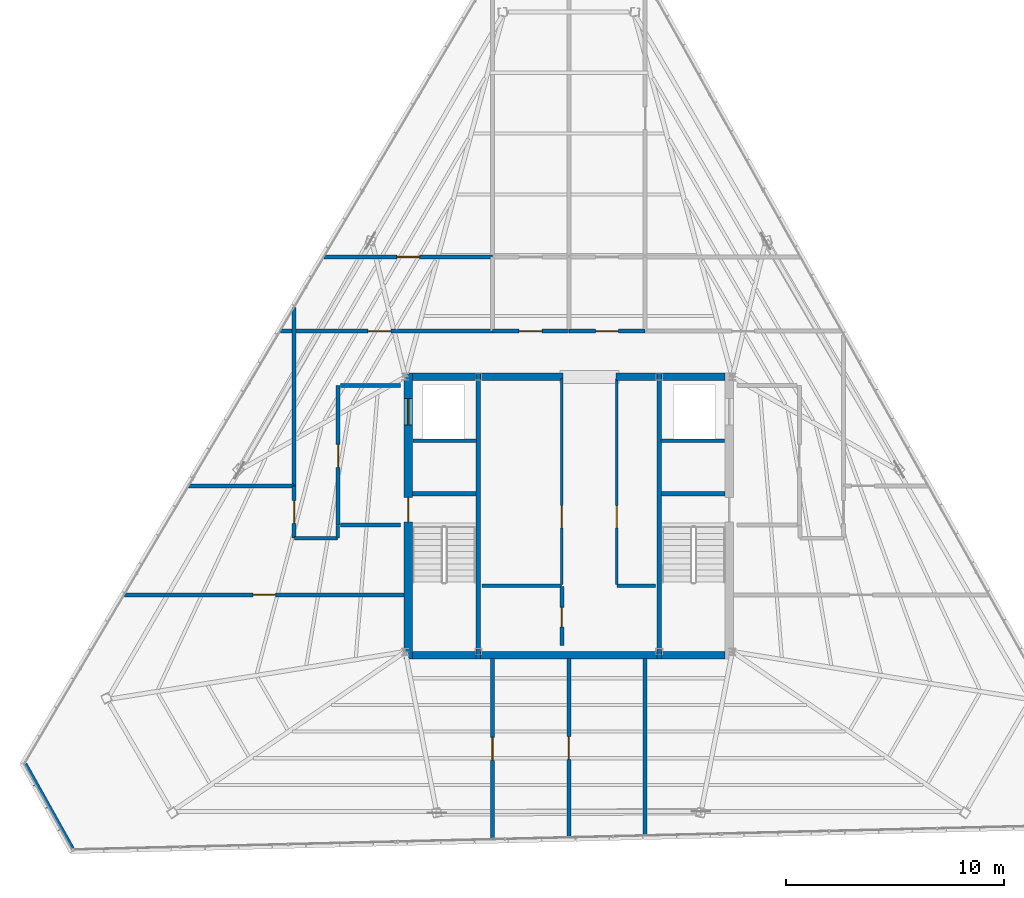
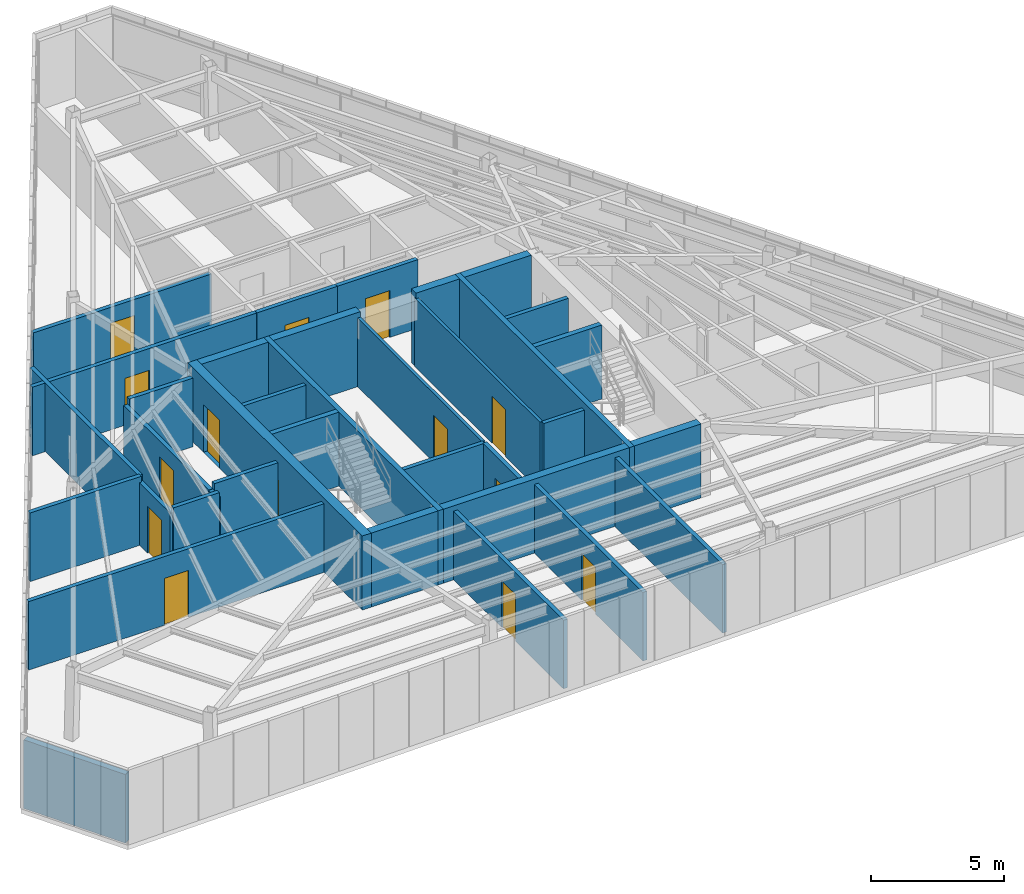
# One storey, part 40 of 44: 36 walls, 14 doors, 14 openings.
"""IFC4 building model written with IfcOpenShell, lengths in metres."""

from ifc_helpers import new_model, si_unit, direction, frame, frame_2d, origin, place, context, subcontext, project, spatial, rectangle, extrude, material, layer, layer_set, type_object, element, fill, save


model = new_model("IFC4")

# Units and contexts
model_context = context("Model", 3, precision=1e-05, world=origin(), true_north=direction((0.0, 1.0)))
body_context = subcontext(model_context, "Body", "Model", "MODEL_VIEW")
ifc_project = project(units=[si_unit("LENGTHUNIT", "METRE"), si_unit("AREAUNIT", "SQUARE_METRE"), si_unit("VOLUMEUNIT", "CUBIC_METRE"), si_unit("PLANEANGLEUNIT", "RADIAN"), si_unit("MASSUNIT", "GRAM", prefix="KILO")], contexts=[model_context])

# Site, building, storey
site_placement = place(None, origin())
site = spatial("IfcSite", under=ifc_project, at=site_placement, CompositionType="ELEMENT")
building_placement = place(site_placement, origin())
building = spatial("IfcBuilding", under=site, at=building_placement, Name="Caelisora Broadcast Tower", CompositionType="ELEMENT")
storey_placement = place(building_placement, frame((0.0, 0.0, 289.800048828125)))
storey = spatial("IfcBuildingStorey", under=building, at=storey_placement, Name="L76", CompositionType="ELEMENT", Elevation=289.800048828125)

# Wall, openings, doors
ifc_material_1 = material(Name="Concrete 40 MPa (AS 3600 N40)", Category="concrete")
ifc_layer_1 = layer(ifc_material_1, 0.39990234375, Name="Concrete 40 MPa (AS 3600 N40)")
ifc_layer_set_1 = layer_set([ifc_layer_1], Name="Concrete 40 MPa (AS 3600 N40)")
wall_type_1 = type_object("IfcWallType", Name="CW3", PredefinedType="SHEAR", material=ifc_layer_set_1)
wall_1_placement = place(storey_placement, frame((30.639892578125, 17.050048828125, 0.0), z_axis=(0.0, 0.0, 1.0), x_axis=(0.0, 1.0, 0.0)))
wall_1 = element("IfcWall", 1, at=wall_1_placement, inside=storey, type_object=wall_type_1, Name="L76 core shear wall CW3", PredefinedType="SHEAR", context=body_context, shape_type="SweptSolid", body=[
    extrude(rectangle(XDim=13.125, YDim=0.39990234375, at=frame_2d((6.5625, 0.0))), origin(), (0.0, 0.0, 1.0), 3.39990234375),
])
opening_1_placement = place(wall_1_placement, frame((6.300048828125, 0.0, 0.0)))
opening_1 = element("IfcOpeningElement", 2, at=opening_1_placement, cuts=wall_1, Name="Opening FD04", PredefinedType="OPENING", context=body_context, shape_type="SweptSolid", body=[
    extrude(rectangle(XDim=1.1201171875, YDim=2.14990234375, at=frame_2d((0.56005859375, 1.074951171875))), frame((0.0, 0.2119140625, 0.0), z_axis=(0.0, -1.0, 0.0), x_axis=(1.0, 0.0, 0.0)), (0.0, 0.0, 1.0), 0.423828125),
])
opening_2_placement = place(wall_1_placement, frame((10.75, 0.0, 0.0)))
opening_2 = element("IfcOpeningElement", 3, at=opening_2_placement, cuts=wall_1, Name="Opening LD04", PredefinedType="OPENING", context=body_context, shape_type="SweptSolid", body=[
    extrude(rectangle(XDim=1.199951171875, YDim=2.199951171875, at=frame_2d((0.60009765625, 1.10009765625))), frame((0.0, 0.2119140625, 0.0), z_axis=(0.0, -1.0, 0.0), x_axis=(1.0, 0.0, 0.0)), (0.0, 0.0, 1.0), 0.423828125),
])
ifc_material_2 = material(Name="Pressurised Fire-Isolated Stair Door", Category="steel")
door_type_1 = type_object("IfcDoorType", Name="FD04", OperationType="NOTDEFINED", PredefinedType="DOOR", material=ifc_material_2)
door_1_placement = place(opening_1_placement, origin())
door_1 = element("IfcDoor", 4, at=door_1_placement, inside=storey, type_object=door_type_1, Name="L76 door FD04 (L76-DR-ST1)", OperationType="SINGLE_SWING_LEFT", OverallHeight=2.14990234375, OverallWidth=1.1201171875, PredefinedType="DOOR", context=body_context, shape_type="SweptSolid", body=[
    extrude(rectangle(XDim=1.1201171875, YDim=2.14990234375, at=frame_2d((0.56005859375, 1.074951171875))), frame((0.0, 0.02490234375, 0.0), z_axis=(0.0, -1.0, 0.0), x_axis=(1.0, 0.0, 0.0)), (0.0, 0.0, 1.0), 0.050048828125),
])
fill(opening_1, door_1)
ifc_material_3 = material(Name="Emergency Firefighting Lift Sliding Landing Door", Category="steel")
door_type_2 = type_object("IfcDoorType", Name="LD04", OperationType="NOTDEFINED", PredefinedType="DOOR", material=ifc_material_3)
door_2_placement = place(opening_2_placement, origin())
door_2 = element("IfcDoor", 5, at=door_2_placement, inside=storey, type_object=door_type_2, Name="L76 door LD04 (L76-LD-FFL1)", OperationType="SLIDING_TO_LEFT", OverallHeight=2.199951171875, OverallWidth=1.199951171875, PredefinedType="DOOR", context=body_context, shape_type="SweptSolid", body=[
    extrude(rectangle(XDim=1.199951171875, YDim=2.199951171875, at=frame_2d((0.60009765625, 1.10009765625))), frame((0.0, 0.02490234375, 0.0), z_axis=(0.0, -1.0, 0.0), x_axis=(1.0, 0.0, 0.0)), (0.0, 0.0, 1.0), 0.050048828125),
])
fill(opening_2, door_2)

# Walls
ifc_layer_2 = layer(ifc_material_1, 0.35009765625, Name="Concrete 40 MPa (AS 3600 N40)")
ifc_layer_set_2 = layer_set([ifc_layer_2], Name="Concrete 40 MPa (AS 3600 N40)")
wall_type_2 = type_object("IfcWallType", Name="CW6", PredefinedType="SHEAR", material=ifc_layer_set_2)
wall_2_placement = place(storey_placement, frame((30.840087890625, 17.22509765625, 0.0), z_axis=(0.0, 0.0, 1.0), x_axis=(1.0, 0.0, 0.0)))
element("IfcWall", 6, at=wall_2_placement, inside=storey, type_object=wall_type_2, Name="L76 core shear wall CW6", PredefinedType="SHEAR", context=body_context, shape_type="SweptSolid", body=[
    extrude(rectangle(XDim=2.89990234375, YDim=0.35009765625, at=frame_2d((1.449951171875, 0.0))), origin(), (0.0, 0.0, 1.0), 3.39990234375),
])
wall_3_placement = place(storey_placement, frame((33.9599609375, 17.22509765625, 0.0), z_axis=(0.0, 0.0, 1.0), x_axis=(1.0, 0.0, 0.0)))
element("IfcWall", 7, at=wall_3_placement, inside=storey, type_object=wall_type_2, Name="L76 core shear wall CW6", PredefinedType="SHEAR", context=body_context, shape_type="SweptSolid", body=[
    extrude(rectangle(XDim=8.080078125, YDim=0.35009765625, at=frame_2d((4.0400390625, 0.0))), origin(), (0.0, 0.0, 1.0), 3.39990234375),
])
for number, where, z_axis, x_axis, name in (
    (8, (42.260009765625, 17.22509765625, 0.0), (0.0, 0.0, 1.0), (1.0, 0.0, 0.0), "L76 core shear wall CW6"),
    (9, (30.840087890625, 30.0, 0.0), (0.0, 0.0, 1.0), (1.0, 0.0, 0.0), "L76 core shear wall CW6"),
):
    element("IfcWall", number, at=place(storey_placement, frame(where, z_axis=z_axis, x_axis=x_axis)), inside=storey, type_object=wall_type_2, Name=name, PredefinedType="SHEAR", context=body_context, shape_type="SweptSolid", body=[
        extrude(rectangle(XDim=2.89990234375, YDim=0.35009765625, at=frame_2d((1.449951171875, 0.0))), origin(), (0.0, 0.0, 1.0), 3.39990234375),
    ])
wall_4_placement = place(storey_placement, frame((33.9599609375, 30.0, 0.0), z_axis=(0.0, 0.0, 1.0), x_axis=(1.0, 0.0, 0.0)))
element("IfcWall", 10, at=wall_4_placement, inside=storey, type_object=wall_type_2, Name="L76 core shear wall CW6", PredefinedType="SHEAR", context=body_context, shape_type="SweptSolid", body=[
    extrude(rectangle(XDim=3.780029296875, YDim=0.35009765625, at=frame_2d((1.89013671875, 0.0))), origin(), (0.0, 0.0, 1.0), 3.39990234375),
])
wall_5_placement = place(storey_placement, frame((40.159912109375, 30.0, 0.0), z_axis=(0.0, 0.0, 1.0), x_axis=(1.0, 0.0, 0.0)))
element("IfcWall", 11, at=wall_5_placement, inside=storey, type_object=wall_type_2, Name="L76 core shear wall CW6", PredefinedType="SHEAR", context=body_context, shape_type="SweptSolid", body=[
    extrude(rectangle(XDim=1.880126953125, YDim=0.35009765625, at=frame_2d((0.93994140625, 0.0))), origin(), (0.0, 0.0, 1.0), 3.39990234375),
])
wall_6_placement = place(storey_placement, frame((42.260009765625, 30.0, 0.0), z_axis=(0.0, 0.0, 1.0), x_axis=(1.0, 0.0, 0.0)))
element("IfcWall", 12, at=wall_6_placement, inside=storey, type_object=wall_type_2, Name="L76 core shear wall CW6", PredefinedType="SHEAR", context=body_context, shape_type="SweptSolid", body=[
    extrude(rectangle(XDim=2.89990234375, YDim=0.35009765625, at=frame_2d((1.449951171875, 0.0))), origin(), (0.0, 0.0, 1.0), 3.39990234375),
])
ifc_material_4 = material(Name="Concrete 50 MPa (AS 3600 S50)", Category="concrete")
ifc_layer_3 = layer(ifc_material_4, 0.219970703125, Name="Concrete 50 MPa (AS 3600 S50)")
ifc_layer_set_3 = layer_set([ifc_layer_3], Name="Concrete 50 MPa (AS 3600 S50)")
wall_type_3 = type_object("IfcWallType", Name="CW7", PredefinedType="SHEAR", material=ifc_layer_set_3)
for number, where, z_axis, x_axis, name in (
    (13, (33.85009765625, 17.050048828125, 0.0), (0.0, 0.0, 1.0), (0.0, 1.0, 0.0), "L76 core shear wall CW7"),
    (14, (42.14990234375, 17.050048828125, 0.0), (0.0, 0.0, 1.0), (0.0, 1.0, 0.0), "L76 core shear wall CW7"),
):
    element("IfcWall", number, at=place(storey_placement, frame(where, z_axis=z_axis, x_axis=x_axis)), inside=storey, type_object=wall_type_3, Name=name, PredefinedType="SHEAR", context=body_context, shape_type="SweptSolid", body=[
        extrude(rectangle(XDim=13.125, YDim=0.219970703125, at=frame_2d((6.5625, 0.0))), origin(), (0.0, 0.0, 1.0), 3.39990234375),
    ])
for number, where, z_axis, x_axis, name in (
    (15, (30.840087890625, 24.639892578125, 0.0), (0.0, 0.0, 1.0), (1.0, 0.0, 0.0), "L76 core shear wall CW7"),
    (16, (42.260009765625, 24.639892578125, 0.0), (0.0, 0.0, 1.0), (1.0, 0.0, 0.0), "L76 core shear wall CW7"),
):
    element("IfcWall", number, at=place(storey_placement, frame(where, z_axis=z_axis, x_axis=x_axis)), inside=storey, type_object=wall_type_3, Name=name, PredefinedType="SHEAR", context=body_context, shape_type="SweptSolid", body=[
        extrude(rectangle(XDim=2.89990234375, YDim=0.219970703125, at=frame_2d((1.449951171875, 0.0))), origin(), (0.0, 0.0, 1.0), 3.39990234375),
    ])
ifc_material_5 = material(Name="Fire-Rated Acoustic Plant Enclosure Wall", Category="masonry")
ifc_layer_4 = layer(ifc_material_5, 0.260009765625, Name="Fire-Rated Acoustic Plant Enclosure Wall")
ifc_layer_set_4 = layer_set([ifc_layer_4], Name="Fire-Rated Acoustic Plant Enclosure Wall")
wall_type_4 = type_object("IfcWallType", Name="EW2", PredefinedType="STANDARD", material=ifc_layer_set_4)
wall_7_placement = place(storey_placement, frame((15.199462890625, 8.333251953125, 0.0), z_axis=(0.0, 0.0, 1.0), x_axis=(-0.487397275096, 0.873180334312, 0.0)))
element("IfcWall", 17, at=wall_7_placement, inside=storey, type_object=wall_type_4, Name="L76 exterior envelope wall EW2", PredefinedType="STANDARD", context=body_context, shape_type="SweptSolid", body=[
    extrude(rectangle(XDim=4.4521484375, YDim=0.260009765625, at=frame_2d((2.22607421875, 0.0))), origin(), (0.0, 0.0, 1.0), 3.14990234375),
])

# Wall, opening, door
ifc_material_6 = material(Name="Fire-Rated Gypsum Shaft and Compartment Wall", Category="gypsum")
ifc_layer_5 = layer(ifc_material_6, 0.179931640625, Name="Fire-Rated Gypsum Shaft and Compartment Wall")
ifc_layer_set_5 = layer_set([ifc_layer_5], Name="Fire-Rated Gypsum Shaft and Compartment Wall")
wall_type_5 = type_object("IfcWallType", Name="PW2", PredefinedType="PARTITIONING", material=ifc_layer_set_5)
wall_8_placement = place(storey_placement, frame((27.419921875, 23.199951171875, 0.0), z_axis=(0.0, 0.0, 1.0), x_axis=(0.0, 1.0, 0.0)))
wall_8 = element("IfcWall", 18, at=wall_8_placement, inside=storey, type_object=wall_type_5, Name="L76 fire compartment wall PW2", PredefinedType="PARTITIONING", context=body_context, shape_type="SweptSolid", body=[
    extrude(rectangle(XDim=6.400146484375, YDim=0.179931640625, at=frame_2d((3.2001953125, 0.0))), origin(), (0.0, 0.0, 1.0), 2.878662109375),
])
opening_3_placement = place(wall_8_placement, frame((2.64990234375, 0.0, 0.0)))
opening_3 = element("IfcOpeningElement", 19, at=opening_3_placement, cuts=wall_8, Name="Opening FD02", PredefinedType="OPENING", context=body_context, shape_type="SweptSolid", body=[
    extrude(rectangle(XDim=1.050048828125, YDim=2.14990234375, at=frame_2d((0.52490234375, 1.074951171875))), frame((0.0, 0.10205078125, 0.0), z_axis=(0.0, -1.0, 0.0), x_axis=(1.0, 0.0, 0.0)), (0.0, 0.0, 1.0), 0.203857421875),
])
ifc_material_7 = material(Name="Single-Leaf Steel Fire Lobby Door", Category="steel")
door_type_3 = type_object("IfcDoorType", Name="FD02", OperationType="NOTDEFINED", PredefinedType="DOOR", material=ifc_material_7)
door_3_placement = place(opening_3_placement, origin())
door_3 = element("IfcDoor", 20, at=door_3_placement, inside=storey, type_object=door_type_3, Name="L76 door FD02 (L76-DR-P01D1)", OperationType="SINGLE_SWING_LEFT", OverallHeight=2.14990234375, OverallWidth=1.050048828125, PredefinedType="DOOR", context=body_context, shape_type="SweptSolid", body=[
    extrude(rectangle(XDim=1.050048828125, YDim=2.14990234375, at=frame_2d((0.52490234375, 1.074951171875))), frame((0.0, 0.02490234375, 0.0), z_axis=(0.0, -1.0, 0.0), x_axis=(1.0, 0.0, 0.0)), (0.0, 0.0, 1.0), 0.050048828125),
])
fill(opening_3, door_3)

# Walls
for number, where, z_axis, x_axis, name in (
    (21, (27.52001953125, 23.199951171875, 0.0), (0.0, 0.0, 1.0), (1.0, 0.0, 0.0), "L76 fire compartment wall PW2"),
    (22, (27.52001953125, 29.60009765625, 0.0), (0.0, 0.0, 1.0), (1.0, 0.0, 0.0), "L76 fire compartment wall PW2"),
):
    element("IfcWall", number, at=place(storey_placement, frame(where, z_axis=z_axis, x_axis=x_axis)), inside=storey, type_object=wall_type_5, Name=name, PredefinedType="PARTITIONING", context=body_context, shape_type="SweptSolid", body=[
        extrude(rectangle(XDim=2.760009765625, YDim=0.179931640625, at=frame_2d((1.3798828125, 0.0))), origin(), (0.0, 0.0, 1.0), 3.14990234375),
    ])
for number, where, z_axis, x_axis, name in (
    (23, (30.860107421875, 27.070068359375, 0.0), (0.0, 0.0, 1.0), (1.0, 0.0, 0.0), "L76 fire compartment wall PW2"),
    (24, (42.239990234375, 27.070068359375, 0.0), (0.0, 0.0, 1.0), (1.0, 0.0, 0.0), "L76 fire compartment wall PW2"),
):
    element("IfcWall", number, at=place(storey_placement, frame(where, z_axis=z_axis, x_axis=x_axis)), inside=storey, type_object=wall_type_5, Name=name, PredefinedType="PARTITIONING", context=body_context, shape_type="SweptSolid", body=[
        extrude(rectangle(XDim=2.89990234375, YDim=0.179931640625, at=frame_2d((1.449951171875, 0.0))), origin(), (0.0, 0.0, 1.0), 3.14990234375),
    ])
wall_9_placement = place(storey_placement, frame((34.02001953125, 20.419921875, 0.0), z_axis=(0.0, 0.0, 1.0), x_axis=(1.0, 0.0, 0.0)))
element("IfcWall", 25, at=wall_9_placement, inside=storey, type_object=wall_type_5, Name="L76 fire compartment wall PW2", PredefinedType="PARTITIONING", context=body_context, shape_type="SweptSolid", body=[
    extrude(rectangle(XDim=3.639892578125, YDim=0.179931640625, at=frame_2d((1.81982421875, 0.0))), origin(), (0.0, 0.0, 1.0), 3.14990234375),
])
wall_10_placement = place(storey_placement, frame((40.219970703125, 20.419921875, 0.0), z_axis=(0.0, 0.0, 1.0), x_axis=(1.0, 0.0, 0.0)))
element("IfcWall", 26, at=wall_10_placement, inside=storey, type_object=wall_type_5, Name="L76 fire compartment wall PW2", PredefinedType="PARTITIONING", context=body_context, shape_type="SweptSolid", body=[
    extrude(rectangle(XDim=1.760009765625, YDim=0.179931640625, at=frame_2d((0.8798828125, 0.0))), origin(), (0.0, 0.0, 1.0), 3.14990234375),
])

# Wall, opening, door
wall_11_placement = place(storey_placement, frame((37.679931640625, 17.679931640625, 0.0), z_axis=(0.0, 0.0, 1.0), x_axis=(0.0, 1.0, 0.0)))
wall_11 = element("IfcWall", 27, at=wall_11_placement, inside=storey, type_object=wall_type_5, Name="L76 fire compartment wall PW2", PredefinedType="PARTITIONING", context=body_context, shape_type="SweptSolid", body=[
    extrude(rectangle(XDim=2.699951171875, YDim=0.179931640625, at=frame_2d((1.35009765625, 0.0))), origin(), (0.0, 0.0, 1.0), 3.14990234375),
])
opening_4_placement = place(wall_11_placement, frame((0.85009765625, 0.0, 0.0)))
opening_4 = element("IfcOpeningElement", 28, at=opening_4_placement, cuts=wall_11, Name="Opening FD03", PredefinedType="OPENING", context=body_context, shape_type="SweptSolid", body=[
    extrude(rectangle(XDim=0.89990234375, YDim=2.10009765625, at=frame_2d((0.449951171875, 1.050048828125))), frame((0.0, 0.10205078125, 0.0), z_axis=(0.0, -1.0, 0.0), x_axis=(1.0, 0.0, 0.0)), (0.0, 0.0, 1.0), 0.203857421875),
])
ifc_material_8 = material(Name="Single-Leaf Steel Riser Fire Access Door", Category="steel")
door_type_4 = type_object("IfcDoorType", Name="FD03", OperationType="NOTDEFINED", PredefinedType="DOOR", material=ifc_material_8)
door_4_placement = place(opening_4_placement, origin())
door_4 = element("IfcDoor", 29, at=door_4_placement, inside=storey, type_object=door_type_4, Name="L76 door FD03 (L76-DR-P13D1)", OperationType="SINGLE_SWING_LEFT", OverallHeight=2.10009765625, OverallWidth=0.89990234375, PredefinedType="DOOR", context=body_context, shape_type="SweptSolid", body=[
    extrude(rectangle(XDim=0.89990234375, YDim=2.10009765625, at=frame_2d((0.449951171875, 1.050048828125))), frame((0.0, 0.02490234375, 0.0), z_axis=(0.0, -1.0, 0.0), x_axis=(1.0, 0.0, 0.0)), (0.0, 0.0, 1.0), 0.050048828125),
])
fill(opening_4, door_4)

wall_12_placement = place(storey_placement, frame((17.610107421875, 20.0, 0.0), z_axis=(0.0, 0.0, 1.0), x_axis=(1.0, 0.0, 0.0)))
wall_12 = element("IfcWall", 30, at=wall_12_placement, inside=storey, type_object=wall_type_5, Name="L76 fire compartment wall PW2", PredefinedType="PARTITIONING", context=body_context, shape_type="SweptSolid", body=[
    extrude(rectangle(XDim=12.8349609375, YDim=0.179931640625, at=frame_2d((6.41748046875, 0.0))), origin(), (0.0, 0.0, 1.0), 3.14990234375),
])
opening_5_placement = place(wall_12_placement, frame((5.89306640625, 0.0, 0.0)))
opening_5 = element("IfcOpeningElement", 31, at=opening_5_placement, cuts=wall_12, Name="Opening FD02", PredefinedType="OPENING", context=body_context, shape_type="SweptSolid", body=[
    extrude(rectangle(XDim=1.050048828125, YDim=2.14990234375, at=frame_2d((0.52490234375, 1.074951171875))), frame((0.0, 0.10205078125, 0.0), z_axis=(0.0, -1.0, 0.0), x_axis=(1.0, 0.0, 0.0)), (0.0, 0.0, 1.0), 0.203857421875),
])
door_5_placement = place(opening_5_placement, origin())
door_5 = element("IfcDoor", 32, at=door_5_placement, inside=storey, type_object=door_type_3, Name="L76 door FD02 (L76-DR-P16D1)", OperationType="SINGLE_SWING_RIGHT", OverallHeight=2.14990234375, OverallWidth=1.050048828125, PredefinedType="DOOR", context=body_context, shape_type="SweptSolid", body=[
    extrude(rectangle(XDim=1.050048828125, YDim=2.14990234375, at=frame_2d((0.52490234375, 1.074951171875))), frame((0.0, 0.02490234375, 0.0), z_axis=(0.0, -1.0, 0.0), x_axis=(1.0, 0.0, 0.0)), (0.0, 0.0, 1.0), 0.050048828125),
])
fill(opening_5, door_5)

wall_13_placement = place(storey_placement, frame((24.7666015625, 32.10009765625, 0.0), z_axis=(0.0, 0.0, 1.0), x_axis=(1.0, 0.0, 0.0)))
wall_13 = element("IfcWall", 33, at=wall_13_placement, inside=storey, type_object=wall_type_5, Name="L76 fire compartment wall PW2", PredefinedType="PARTITIONING", context=body_context, shape_type="SweptSolid", body=[
    extrude(rectangle(XDim=9.728515625, YDim=0.179931640625, at=frame_2d((4.8642578125, 0.0))), origin(), (0.0, 0.0, 1.0), 3.14990234375),
])
opening_6_placement = place(wall_13_placement, frame((4.02001953125, 0.0, 0.0)))
opening_6 = element("IfcOpeningElement", 34, at=opening_6_placement, cuts=wall_13, Name="Opening FD02", PredefinedType="OPENING", context=body_context, shape_type="SweptSolid", body=[
    extrude(rectangle(XDim=1.050048828125, YDim=2.14990234375, at=frame_2d((0.52490234375, 1.074951171875))), frame((0.0, 0.10205078125, 0.0), z_axis=(0.0, -1.0, 0.0), x_axis=(1.0, 0.0, 0.0)), (0.0, 0.0, 1.0), 0.203857421875),
])
door_6_placement = place(opening_6_placement, origin())
door_6 = element("IfcDoor", 35, at=door_6_placement, inside=storey, type_object=door_type_3, Name="L76 door FD02 (L76-DR-P19D1)", OperationType="SINGLE_SWING_LEFT", OverallHeight=2.14990234375, OverallWidth=1.050048828125, PredefinedType="DOOR", context=body_context, shape_type="SweptSolid", body=[
    extrude(rectangle(XDim=1.050048828125, YDim=2.14990234375, at=frame_2d((0.52490234375, 1.074951171875))), frame((0.0, 0.02490234375, 0.0), z_axis=(0.0, -1.0, 0.0), x_axis=(1.0, 0.0, 0.0)), (0.0, 0.0, 1.0), 0.050048828125),
])
fill(opening_6, door_6)

wall_14_placement = place(storey_placement, frame((34.5, 8.7900390625, 0.0), z_axis=(0.0, 0.0, 1.0), x_axis=(0.0, 1.0, 0.0)))
wall_14 = element("IfcWall", 36, at=wall_14_placement, inside=storey, type_object=wall_type_5, Name="L76 fire compartment wall PW2", PredefinedType="PARTITIONING", context=body_context, shape_type="SweptSolid", body=[
    extrude(rectangle(XDim=8.284912109375, YDim=0.179931640625, at=frame_2d((4.142578125, 0.0))), origin(), (0.0, 0.0, 1.0), 3.14990234375),
])
opening_7_placement = place(wall_14_placement, frame((3.617919921875, 0.0, 0.0)))
opening_7 = element("IfcOpeningElement", 37, at=opening_7_placement, cuts=wall_14, Name="Opening FD02", PredefinedType="OPENING", context=body_context, shape_type="SweptSolid", body=[
    extrude(rectangle(XDim=1.050048828125, YDim=2.14990234375, at=frame_2d((0.52490234375, 1.074951171875))), frame((0.0, 0.10205078125, 0.0), z_axis=(0.0, -1.0, 0.0), x_axis=(1.0, 0.0, 0.0)), (0.0, 0.0, 1.0), 0.203857421875),
])
door_7_placement = place(opening_7_placement, origin())
door_7 = element("IfcDoor", 38, at=door_7_placement, inside=storey, type_object=door_type_3, Name="L76 door FD02 (L76-DR-P21D1)", OperationType="SINGLE_SWING_LEFT", OverallHeight=2.14990234375, OverallWidth=1.050048828125, PredefinedType="DOOR", context=body_context, shape_type="SweptSolid", body=[
    extrude(rectangle(XDim=1.050048828125, YDim=2.14990234375, at=frame_2d((0.52490234375, 1.074951171875))), frame((0.0, 0.02490234375, 0.0), z_axis=(0.0, -1.0, 0.0), x_axis=(1.0, 0.0, 0.0)), (0.0, 0.0, 1.0), 0.050048828125),
])
fill(opening_7, door_7)

wall_15_placement = place(storey_placement, frame((38.0, 8.8798828125, 0.0), z_axis=(0.0, 0.0, 1.0), x_axis=(0.0, 1.0, 0.0)))
wall_15 = element("IfcWall", 39, at=wall_15_placement, inside=storey, type_object=wall_type_5, Name="L76 fire compartment wall PW2", PredefinedType="PARTITIONING", context=body_context, shape_type="SweptSolid", body=[
    extrude(rectangle(XDim=8.195068359375, YDim=0.179931640625, at=frame_2d((4.09765625, 0.0))), origin(), (0.0, 0.0, 1.0), 3.14990234375),
])
opening_8_placement = place(wall_15_placement, frame((3.572021484375, 0.0, 0.0)))
opening_8 = element("IfcOpeningElement", 40, at=opening_8_placement, cuts=wall_15, Name="Opening FD02", PredefinedType="OPENING", context=body_context, shape_type="SweptSolid", body=[
    extrude(rectangle(XDim=1.050048828125, YDim=2.14990234375, at=frame_2d((0.52490234375, 1.074951171875))), frame((0.0, 0.10205078125, 0.0), z_axis=(0.0, -1.0, 0.0), x_axis=(1.0, 0.0, 0.0)), (0.0, 0.0, 1.0), 0.203857421875),
])
door_8_placement = place(opening_8_placement, origin())
door_8 = element("IfcDoor", 41, at=door_8_placement, inside=storey, type_object=door_type_3, Name="L76 door FD02 (L76-DR-P22D1)", OperationType="SINGLE_SWING_RIGHT", OverallHeight=2.14990234375, OverallWidth=1.050048828125, PredefinedType="DOOR", context=body_context, shape_type="SweptSolid", body=[
    extrude(rectangle(XDim=1.050048828125, YDim=2.14990234375, at=frame_2d((0.52490234375, 1.074951171875))), frame((0.0, 0.02490234375, 0.0), z_axis=(0.0, -1.0, 0.0), x_axis=(1.0, 0.0, 0.0)), (0.0, 0.0, 1.0), 0.050048828125),
])
fill(opening_8, door_8)

# Wall
wall_16_placement = place(storey_placement, frame((41.5, 8.9599609375, 0.0), z_axis=(0.0, 0.0, 1.0), x_axis=(0.0, 1.0, 0.0)))
element("IfcWall", 42, at=wall_16_placement, inside=storey, type_object=wall_type_5, Name="L76 fire compartment wall PW2", PredefinedType="PARTITIONING", context=body_context, shape_type="SweptSolid", body=[
    extrude(rectangle(XDim=8.114990234375, YDim=0.179931640625, at=frame_2d((4.0576171875, 0.0))), origin(), (0.0, 0.0, 1.0), 3.14990234375),
])

# Wall, opening, door
wall_17_placement = place(storey_placement, frame((26.77001953125, 35.5, 0.0), z_axis=(0.0, 0.0, 1.0), x_axis=(1.0, 0.0, 0.0)))
wall_17 = element("IfcWall", 43, at=wall_17_placement, inside=storey, type_object=wall_type_5, Name="L76 fire compartment wall PW2", PredefinedType="PARTITIONING", context=body_context, shape_type="SweptSolid", body=[
    extrude(rectangle(XDim=7.72509765625, YDim=0.179931640625, at=frame_2d((3.862548828125, 0.0))), origin(), (0.0, 0.0, 1.0), 2.878662109375),
])
opening_9_placement = place(wall_17_placement, frame((3.3369140625, 0.0, 0.0)))
opening_9 = element("IfcOpeningElement", 44, at=opening_9_placement, cuts=wall_17, Name="Opening FD02", PredefinedType="OPENING", context=body_context, shape_type="SweptSolid", body=[
    extrude(rectangle(XDim=1.050048828125, YDim=2.14990234375, at=frame_2d((0.52490234375, 1.074951171875))), frame((0.0, 0.10205078125, 0.0), z_axis=(0.0, -1.0, 0.0), x_axis=(1.0, 0.0, 0.0)), (0.0, 0.0, 1.0), 0.203857421875),
])
door_9_placement = place(opening_9_placement, origin())
door_9 = element("IfcDoor", 45, at=door_9_placement, inside=storey, type_object=door_type_3, Name="L76 door FD02 (L76-DR-P24D1)", OperationType="SINGLE_SWING_LEFT", OverallHeight=2.14990234375, OverallWidth=1.050048828125, PredefinedType="DOOR", context=body_context, shape_type="SweptSolid", body=[
    extrude(rectangle(XDim=1.050048828125, YDim=2.14990234375, at=frame_2d((0.52490234375, 1.074951171875))), frame((0.0, 0.02490234375, 0.0), z_axis=(0.0, -1.0, 0.0), x_axis=(1.0, 0.0, 0.0)), (0.0, 0.0, 1.0), 0.050048828125),
])
fill(opening_9, door_9)

# Walls
wall_18_placement = place(storey_placement, frame((25.39990234375, 25.0048828125, 0.0), z_axis=(0.0, 0.0, 1.0), x_axis=(0.0, 1.0, 0.0)))
element("IfcWall", 46, at=wall_18_placement, inside=storey, type_object=wall_type_5, Name="L76 fire compartment wall PW2", PredefinedType="PARTITIONING", context=body_context, shape_type="SweptSolid", body=[
    extrude(rectangle(XDim=8.1806640625, YDim=0.179931640625, at=frame_2d((4.09033203125, 0.0))), origin(), (0.0, 0.0, 1.0), 3.14990234375),
])
wall_19_placement = place(storey_placement, frame((20.56005859375, 25.0, 0.0), z_axis=(0.0, 0.0, 1.0), x_axis=(1.0, 0.0, 0.0)))
element("IfcWall", 47, at=wall_19_placement, inside=storey, type_object=wall_type_5, Name="L76 fire compartment wall PW2", PredefinedType="PARTITIONING", context=body_context, shape_type="SweptSolid", body=[
    extrude(rectangle(XDim=4.8349609375, YDim=0.179931640625, at=frame_2d((2.41748046875, 0.0))), origin(), (0.0, 0.0, 1.0), 3.14990234375),
])

# Wall, opening, door
wall_20_placement = place(storey_placement, frame((34.5048828125, 32.10009765625, 0.0), z_axis=(0.0, 0.0, 1.0), x_axis=(1.0, 0.0, 0.0)))
wall_20 = element("IfcWall", 48, at=wall_20_placement, inside=storey, type_object=wall_type_5, Name="L76 fire compartment wall PW2", PredefinedType="PARTITIONING", context=body_context, shape_type="SweptSolid", body=[
    extrude(rectangle(XDim=3.490234375, YDim=0.179931640625, at=frame_2d((1.7451171875, 0.0))), origin(), (0.0, 0.0, 1.0), 3.14990234375),
])
opening_10_placement = place(wall_20_placement, frame((1.219970703125, 0.0, 0.0)))
opening_10 = element("IfcOpeningElement", 49, at=opening_10_placement, cuts=wall_20, Name="Opening FD02", PredefinedType="OPENING", context=body_context, shape_type="SweptSolid", body=[
    extrude(rectangle(XDim=1.050048828125, YDim=2.14990234375, at=frame_2d((0.52490234375, 1.074951171875))), frame((0.0, 0.10205078125, 0.0), z_axis=(0.0, -1.0, 0.0), x_axis=(1.0, 0.0, 0.0)), (0.0, 0.0, 1.0), 0.203857421875),
])
door_10_placement = place(opening_10_placement, origin())
door_10 = element("IfcDoor", 50, at=door_10_placement, inside=storey, type_object=door_type_3, Name="L76 door FD02 (L76-DR-P30D1)", OperationType="SINGLE_SWING_LEFT", OverallHeight=2.14990234375, OverallWidth=1.050048828125, PredefinedType="DOOR", context=body_context, shape_type="SweptSolid", body=[
    extrude(rectangle(XDim=1.050048828125, YDim=2.14990234375, at=frame_2d((0.52490234375, 1.074951171875))), frame((0.0, 0.02490234375, 0.0), z_axis=(0.0, -1.0, 0.0), x_axis=(1.0, 0.0, 0.0)), (0.0, 0.0, 1.0), 0.050048828125),
])
fill(opening_10, door_10)

wall_21_placement = place(storey_placement, frame((38.0048828125, 32.10009765625, 0.0), z_axis=(0.0, 0.0, 1.0), x_axis=(1.0, 0.0, 0.0)))
wall_21 = element("IfcWall", 51, at=wall_21_placement, inside=storey, type_object=wall_type_5, Name="L76 fire compartment wall PW2", PredefinedType="PARTITIONING", context=body_context, shape_type="SweptSolid", body=[
    extrude(rectangle(XDim=3.490234375, YDim=0.179931640625, at=frame_2d((1.7451171875, 0.0))), origin(), (0.0, 0.0, 1.0), 3.14990234375),
])
opening_11_placement = place(wall_21_placement, frame((1.219970703125, 0.0, 0.0)))
opening_11 = element("IfcOpeningElement", 52, at=opening_11_placement, cuts=wall_21, Name="Opening FD02", PredefinedType="OPENING", context=body_context, shape_type="SweptSolid", body=[
    extrude(rectangle(XDim=1.050048828125, YDim=2.14990234375, at=frame_2d((0.52490234375, 1.074951171875))), frame((0.0, 0.10205078125, 0.0), z_axis=(0.0, -1.0, 0.0), x_axis=(1.0, 0.0, 0.0)), (0.0, 0.0, 1.0), 0.203857421875),
])
door_11_placement = place(opening_11_placement, origin())
door_11 = element("IfcDoor", 53, at=door_11_placement, inside=storey, type_object=door_type_3, Name="L76 door FD02 (L76-DR-P31D1)", OperationType="SINGLE_SWING_RIGHT", OverallHeight=2.14990234375, OverallWidth=1.050048828125, PredefinedType="DOOR", context=body_context, shape_type="SweptSolid", body=[
    extrude(rectangle(XDim=1.050048828125, YDim=2.14990234375, at=frame_2d((0.52490234375, 1.074951171875))), frame((0.0, 0.02490234375, 0.0), z_axis=(0.0, -1.0, 0.0), x_axis=(1.0, 0.0, 0.0)), (0.0, 0.0, 1.0), 0.050048828125),
])
fill(opening_11, door_11)

wall_22_placement = place(storey_placement, frame((25.39990234375, 24.9951171875, 0.0), z_axis=(0.0, 0.0, 1.0), x_axis=(0.0, -1.0, 0.0)))
wall_22 = element("IfcWall", 54, at=wall_22_placement, inside=storey, type_object=wall_type_5, Name="L76 fire compartment wall PW2", PredefinedType="PARTITIONING", context=body_context, shape_type="SweptSolid", body=[
    extrude(rectangle(XDim=2.39013671875, YDim=0.179931640625, at=frame_2d((1.195068359375, 0.0))), origin(), (0.0, 0.0, 1.0), 2.878662109375),
])
opening_12_placement = place(wall_22_placement, frame((0.669921875, 0.0, 0.0)))
opening_12 = element("IfcOpeningElement", 55, at=opening_12_placement, cuts=wall_22, Name="Opening FD02", PredefinedType="OPENING", context=body_context, shape_type="SweptSolid", body=[
    extrude(rectangle(XDim=1.050048828125, YDim=2.14990234375, at=frame_2d((0.52490234375, 1.074951171875))), frame((0.0, 0.10205078125, 0.0), z_axis=(0.0, -1.0, 0.0), x_axis=(1.0, 0.0, 0.0)), (0.0, 0.0, 1.0), 0.203857421875),
])
door_12_placement = place(opening_12_placement, origin())
door_12 = element("IfcDoor", 56, at=door_12_placement, inside=storey, type_object=door_type_3, Name="L76 door FD02 (L76-DR-P40D1)", OperationType="SINGLE_SWING_RIGHT", OverallHeight=2.14990234375, OverallWidth=1.050048828125, PredefinedType="DOOR", context=body_context, shape_type="SweptSolid", body=[
    extrude(rectangle(XDim=1.050048828125, YDim=2.14990234375, at=frame_2d((0.52490234375, 1.074951171875))), frame((0.0, 0.02490234375, 0.0), z_axis=(0.0, -1.0, 0.0), x_axis=(1.0, 0.0, 0.0)), (0.0, 0.0, 1.0), 0.050048828125),
])
fill(opening_12, door_12)

# Walls
wall_23_placement = place(storey_placement, frame((25.405029296875, 22.60009765625, 0.0), z_axis=(0.0, 0.0, 1.0), x_axis=(1.0, 0.0, 0.0)))
element("IfcWall", 57, at=wall_23_placement, inside=storey, type_object=wall_type_5, Name="L76 fire compartment wall PW2", PredefinedType="PARTITIONING", context=body_context, shape_type="SweptSolid", body=[
    extrude(rectangle(XDim=1.989990234375, YDim=0.179931640625, at=frame_2d((0.9951171875, 0.0))), origin(), (0.0, 0.0, 1.0), 3.14990234375),
])
wall_24_placement = place(storey_placement, frame((27.39990234375, 22.60498046875, 0.0), z_axis=(0.0, 0.0, 1.0), x_axis=(0.0, 1.0, 0.0)))
element("IfcWall", 58, at=wall_24_placement, inside=storey, type_object=wall_type_5, Name="L76 fire compartment wall PW2", PredefinedType="PARTITIONING", context=body_context, shape_type="SweptSolid", body=[
    extrude(rectangle(XDim=0.570068359375, YDim=0.179931640625, at=frame_2d((0.28515625, 0.0))), origin(), (0.0, 0.0, 1.0), 2.878662109375),
])

# Wall, opening, door
ifc_material_9 = material(Name="Acoustic Steel-Stud Plasterboard Partition", Category="gypsum")
ifc_layer_6 = layer(ifc_material_9, 0.1298828125, Name="Acoustic Steel-Stud Plasterboard Partition")
ifc_layer_set_6 = layer_set([ifc_layer_6], Name="Acoustic Steel-Stud Plasterboard Partition")
wall_type_6 = type_object("IfcWallType", Name="PW3", PredefinedType="PARTITIONING", material=ifc_layer_set_6)
wall_25_placement = place(storey_placement, frame((37.679931640625, 20.47998046875, 0.0), z_axis=(0.0, 0.0, 1.0), x_axis=(0.0, 1.0, 0.0)))
wall_25 = element("IfcWall", 59, at=wall_25_placement, inside=storey, type_object=wall_type_6, Name="L76 internal partition PW3", PredefinedType="PARTITIONING", context=body_context, shape_type="SweptSolid", body=[
    extrude(rectangle(XDim=9.43994140625, YDim=0.1298828125, at=frame_2d((4.719970703125, 0.0))), origin(), (0.0, 0.0, 1.0), 3.14990234375),
])
opening_13_placement = place(wall_25_placement, frame((2.60009765625, 0.0, 0.0)))
opening_13 = element("IfcOpeningElement", 60, at=opening_13_placement, cuts=wall_25, Name="Opening D02", PredefinedType="OPENING", context=body_context, shape_type="SweptSolid", body=[
    extrude(rectangle(XDim=1.02001953125, YDim=2.14990234375, at=frame_2d((0.510009765625, 1.074951171875))), frame((0.0, 0.076904296875, 0.0), z_axis=(0.0, -1.0, 0.0), x_axis=(1.0, 0.0, 0.0)), (0.0, 0.0, 1.0), 0.15380859375),
])
ifc_material_10 = material(Name="Solid-Core Timber Archive Suite Door", Category="wood")
door_type_5 = type_object("IfcDoorType", Name="D02", OperationType="NOTDEFINED", PredefinedType="DOOR", material=ifc_material_10)
door_13_placement = place(opening_13_placement, origin())
door_13 = element("IfcDoor", 61, at=door_13_placement, inside=storey, type_object=door_type_5, Name="L76 door D02 (L76-DR-P11D1)", OperationType="SINGLE_SWING_LEFT", OverallHeight=2.14990234375, OverallWidth=1.02001953125, PredefinedType="DOOR", context=body_context, shape_type="SweptSolid", body=[
    extrude(rectangle(XDim=1.02001953125, YDim=2.14990234375, at=frame_2d((0.510009765625, 1.074951171875))), frame((0.0, 0.02490234375, 0.0), z_axis=(0.0, -1.0, 0.0), x_axis=(1.0, 0.0, 0.0)), (0.0, 0.0, 1.0), 0.050048828125),
])
fill(opening_13, door_13)

wall_26_placement = place(storey_placement, frame((40.199951171875, 20.47998046875, 0.0), z_axis=(0.0, 0.0, 1.0), x_axis=(0.0, 1.0, 0.0)))
wall_26 = element("IfcWall", 62, at=wall_26_placement, inside=storey, type_object=wall_type_6, Name="L76 internal partition PW3", PredefinedType="PARTITIONING", context=body_context, shape_type="SweptSolid", body=[
    extrude(rectangle(XDim=9.43994140625, YDim=0.1298828125, at=frame_2d((4.719970703125, 0.0))), origin(), (0.0, 0.0, 1.0), 3.14990234375),
])
opening_14_placement = place(wall_26_placement, frame((2.60009765625, 0.0, 0.0)))
opening_14 = element("IfcOpeningElement", 63, at=opening_14_placement, cuts=wall_26, Name="Opening D02", PredefinedType="OPENING", context=body_context, shape_type="SweptSolid", body=[
    extrude(rectangle(XDim=1.02001953125, YDim=2.14990234375, at=frame_2d((0.510009765625, 1.074951171875))), frame((0.0, 0.076904296875, 0.0), z_axis=(0.0, -1.0, 0.0), x_axis=(1.0, 0.0, 0.0)), (0.0, 0.0, 1.0), 0.15380859375),
])
door_14_placement = place(opening_14_placement, origin())
door_14 = element("IfcDoor", 64, at=door_14_placement, inside=storey, type_object=door_type_5, Name="L76 door D02 (L76-DR-P12D1)", OperationType="SINGLE_SWING_RIGHT", OverallHeight=2.14990234375, OverallWidth=1.02001953125, PredefinedType="DOOR", context=body_context, shape_type="SweptSolid", body=[
    extrude(rectangle(XDim=1.02001953125, YDim=2.14990234375, at=frame_2d((0.510009765625, 1.074951171875))), frame((0.0, 0.02490234375, 0.0), z_axis=(0.0, -1.0, 0.0), x_axis=(1.0, 0.0, 0.0)), (0.0, 0.0, 1.0), 0.050048828125),
])
fill(opening_14, door_14)

save(model, "model.ifc")
